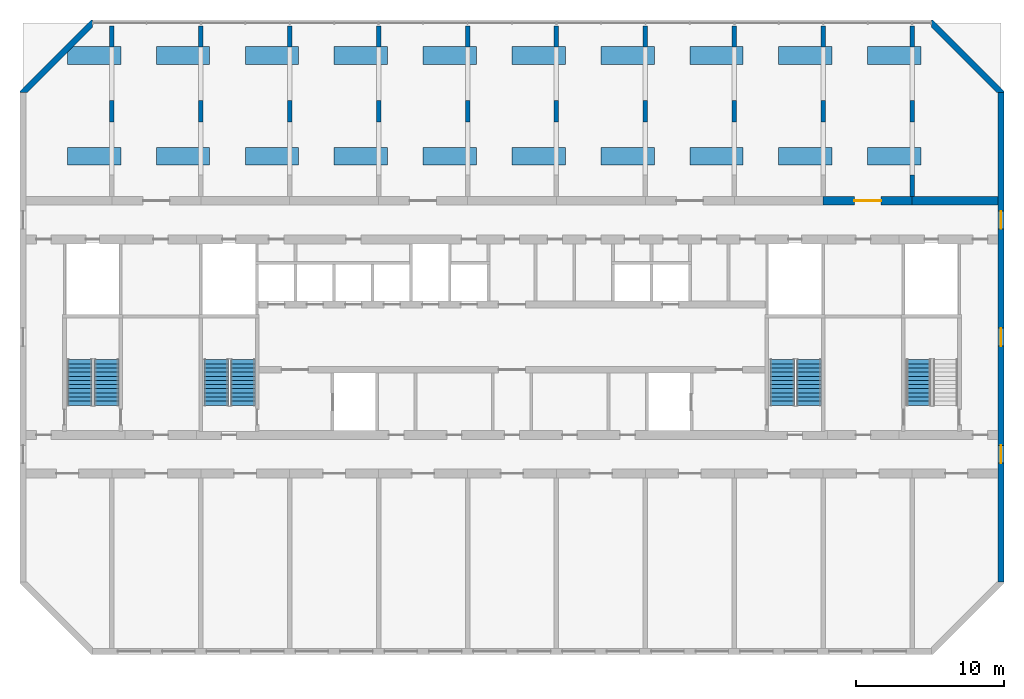
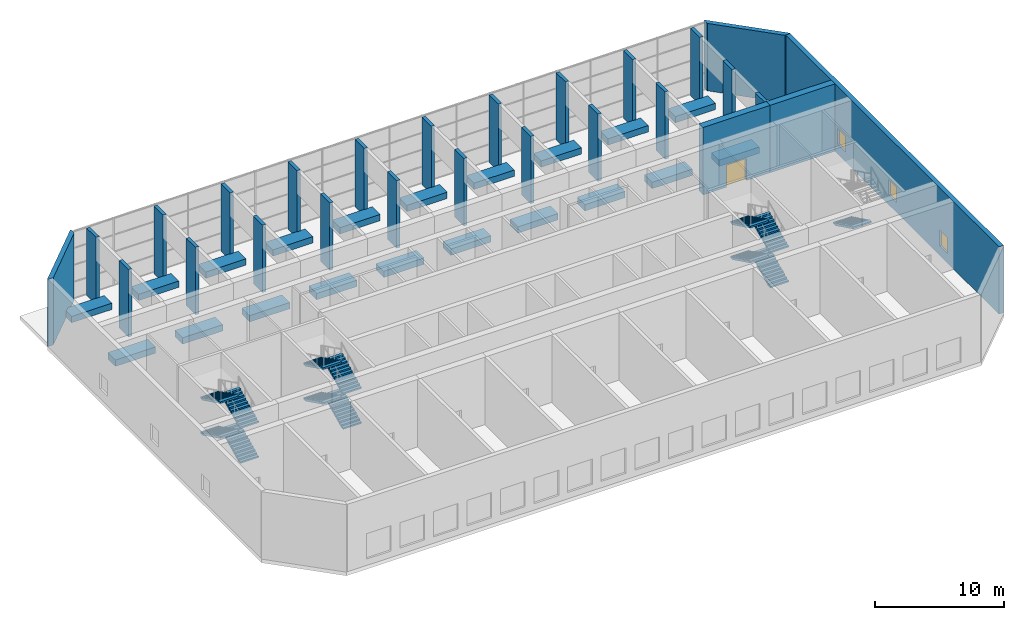
# One storey, part 10 of 13: 46 walls, 13 stair flights, 3 windows, 1 door, 4 openings, 4 elements without a shape of their own.
"""IFC4 building model written with IfcOpenShell, lengths in metres."""

from ifc_helpers import new_model, si_unit, direction, frame, frame_2d, origin, place, context, subcontext, project, spatial, polyline, rectangle, outline, extrude, source, transform, mapped, material, layer, layer_set, type_object, element, fill, aggregate, save


model = new_model("IFC4")

# Units and contexts
model_context = context("Model", 3, precision=1e-05, world=origin(), true_north=direction((0.0, 1.0)))
body_context = subcontext(model_context, "Body", "Model", "MODEL_VIEW")
ifc_project = project(units=[si_unit("LENGTHUNIT", "METRE"), si_unit("AREAUNIT", "SQUARE_METRE"), si_unit("VOLUMEUNIT", "CUBIC_METRE"), si_unit("PLANEANGLEUNIT", "RADIAN"), si_unit("MASSUNIT", "GRAM", prefix="KILO")], contexts=[model_context])

# Site, building, storey
site_placement = place(None, origin())
site = spatial("IfcSite", under=ifc_project, at=site_placement, CompositionType="ELEMENT")
building_placement = place(site_placement, origin())
building = spatial("IfcBuilding", under=site, at=building_placement, Name="Poui Terraces", CompositionType="ELEMENT")
storey_placement = place(building_placement, frame((0.0, 0.0, 165.300048828125)))
storey = spatial("IfcBuildingStorey", under=building, at=storey_placement, Name="L46", CompositionType="ELEMENT", Elevation=165.300048828125)

# Wall, opening, door
ifc_material_1 = material(Name="Concrete 65 MPa", Category="concrete")
ifc_layer_1 = layer(ifc_material_1, 0.60009765625)
ifc_layer_set_1 = layer_set([ifc_layer_1], Name="Concrete 65 MPa")
wall_type_1 = type_object("IfcWallType", Name="BELT WALL 600 65MPa", PredefinedType="SHEAR", material=ifc_layer_set_1)
wall_1_placement = place(storey_placement, frame((72.0, 30.39990234375, 0.0), z_axis=(0.0, 0.0, 1.0), x_axis=(1.0, 0.0, 0.0)))
wall_1 = element("IfcWall", 1, at=wall_1_placement, inside=storey, type_object=wall_type_1, Name="BELT WALL LINE E BAY 10", PredefinedType="SHEAR", context=body_context, shape_type="SweptSolid", body=[
    extrude(rectangle(XDim=6.0, YDim=0.60009765625, at=frame_2d((3.0, 0.0))), origin(), (0.0, 0.0, 1.0), 6.3798828125),
])
opening_1_placement = place(wall_1_placement, frame((2.10009765625, 0.0, 0.0)))
opening_1 = element("IfcOpeningElement", 2, at=opening_1_placement, cuts=wall_1, Name="Opening DD180", PredefinedType="OPENING", context=body_context, shape_type="SweptSolid", body=[
    extrude(rectangle(XDim=1.800048828125, YDim=2.10009765625, at=frame_2d((0.89990234375, 1.050048828125))), frame((0.0, 0.31005859375, 0.0), z_axis=(0.0, -1.0, 0.0), x_axis=(1.0, 0.0, 0.0)), (0.0, 0.0, 1.0), 0.6201171875),
])
ifc_material_2 = material(Name="Steel fire door", Category="steel")
door_type = type_object("IfcDoorType", Name="DOUBLE INTERNAL DOOR 1800 X 2100", OperationType="DOUBLE_DOOR_SINGLE_SWING", PredefinedType="DOOR", material=ifc_material_2)
door_placement = place(opening_1_placement, frame((1.800048828125, 0.0, 0.0), z_axis=(0.0, 0.0, 1.0), x_axis=(-1.0, 0.0, 0.0)))
door = element("IfcDoor", 3, at=door_placement, inside=storey, type_object=door_type, Name="DOUBLE INTERNAL DOOR 020", OperationType="DOUBLE_DOOR_SINGLE_SWING", OverallHeight=2.10009765625, OverallWidth=1.800048828125, PredefinedType="DOOR", context=body_context, shape_type="SweptSolid", body=[
    extrude(rectangle(XDim=1.800048828125, YDim=2.10009765625, at=frame_2d((0.89990234375, 1.050048828125))), frame((0.0, 0.02490234375, 0.0), z_axis=(0.0, -1.0, 0.0), x_axis=(1.0, 0.0, 0.0)), (0.0, 0.0, 1.0), 0.050048828125),
])
fill(opening_1, door)

# Wall
wall_2_placement = place(storey_placement, frame((78.0, 30.39990234375, 0.0), z_axis=(0.0, 0.0, 1.0), x_axis=(1.0, 0.0, 0.0)))
element("IfcWall", 4, at=wall_2_placement, inside=storey, type_object=wall_type_1, Name="BELT WALL LINE E BAY 11", PredefinedType="SHEAR", context=body_context, shape_type="SweptSolid", body=[
    extrude(rectangle(XDim=5.800048828125, YDim=0.60009765625, at=frame_2d((2.89990234375, 0.0))), origin(), (0.0, 0.0, 1.0), 6.3798828125),
])

# Wall, openings, windows
ifc_layer_2 = layer(ifc_material_1, 0.39990234375)
ifc_layer_set_2 = layer_set([ifc_layer_2], Name="Concrete 65 MPa")
wall_type_2 = type_object("IfcWallType", Name="END WALL 400 65MPa", PredefinedType="SHEAR", material=ifc_layer_set_2)
wall_3_placement = place(storey_placement, frame((84.0, 4.682861328125, 0.0), z_axis=(0.0, 0.0, 1.0), x_axis=(0.0, 1.0, 0.0)))
wall_3 = element("IfcWall", 5, at=wall_3_placement, inside=storey, type_object=wall_type_2, Name="END WALL EAST", PredefinedType="SHEAR", context=body_context, shape_type="SweptSolid", body=[
    extrude(rectangle(XDim=33.034423828125, YDim=0.39990234375, at=frame_2d((16.51708984375, 0.0))), origin(), (0.0, 0.0, 1.0), 6.3798828125),
])
opening_2_placement = place(wall_3_placement, frame((23.817138671875, 0.0, 0.89990234375)))
opening_2 = element("IfcOpeningElement", 6, at=opening_2_placement, cuts=wall_3, Name="Opening W2", PredefinedType="OPENING", context=body_context, shape_type="SweptSolid", body=[
    extrude(rectangle(XDim=1.199951171875, YDim=1.5, at=frame_2d((0.60009765625, 0.75))), frame((0.0, 0.2099609375, 0.0), z_axis=(0.0, -1.0, 0.0), x_axis=(1.0, 0.0, 0.0)), (0.0, 0.0, 1.0), 0.419921875),
])
opening_3_placement = place(wall_3_placement, frame((8.01708984375, 0.0, 0.89990234375)))
opening_3 = element("IfcOpeningElement", 7, at=opening_3_placement, cuts=wall_3, Name="Opening W2", PredefinedType="OPENING", context=body_context, shape_type="SweptSolid", body=[
    extrude(rectangle(XDim=1.199951171875, YDim=1.5, at=frame_2d((0.60009765625, 0.75))), frame((0.0, 0.2099609375, 0.0), z_axis=(0.0, -1.0, 0.0), x_axis=(1.0, 0.0, 0.0)), (0.0, 0.0, 1.0), 0.419921875),
])
opening_4_placement = place(wall_3_placement, frame((15.917236328125, 0.0, 0.89990234375)))
opening_4 = element("IfcOpeningElement", 8, at=opening_4_placement, cuts=wall_3, Name="Opening W2", PredefinedType="OPENING", context=body_context, shape_type="SweptSolid", body=[
    extrude(rectangle(XDim=1.199951171875, YDim=1.5, at=frame_2d((0.60009765625, 0.75))), frame((0.0, 0.2099609375, 0.0), z_axis=(0.0, -1.0, 0.0), x_axis=(1.0, 0.0, 0.0)), (0.0, 0.0, 1.0), 0.419921875),
])
ifc_material_3 = material(Name="Clear glass in aluminium frame", Category="aluminium")
window_type = type_object("IfcWindowType", Name="WINDOW 1200X1500", PartitioningType="SINGLE_PANEL", PredefinedType="WINDOW", material=ifc_material_3)
window_1_placement = place(opening_2_placement, origin())
window_1 = element("IfcWindow", 9, at=window_1_placement, inside=storey, type_object=window_type, Name="W2 WINDOW", OverallHeight=1.5, OverallWidth=1.199951171875, PartitioningType="SINGLE_PANEL", PredefinedType="WINDOW", context=body_context, shape_type="SweptSolid", body=[
    extrude(rectangle(XDim=1.199951171875, YDim=1.5, at=frame_2d((0.60009765625, 0.75))), frame((0.0, 0.030029296875, 0.0), z_axis=(0.0, -1.0, 0.0), x_axis=(1.0, 0.0, 0.0)), (0.0, 0.0, 1.0), 0.06005859375),
])
fill(opening_2, window_1)
window_2_placement = place(opening_3_placement, origin())
window_2 = element("IfcWindow", 10, at=window_2_placement, inside=storey, type_object=window_type, Name="W2 WINDOW", OverallHeight=1.5, OverallWidth=1.199951171875, PartitioningType="SINGLE_PANEL", PredefinedType="WINDOW", context=body_context, shape_type="SweptSolid", body=[
    extrude(rectangle(XDim=1.199951171875, YDim=1.5, at=frame_2d((0.60009765625, 0.75))), frame((0.0, 0.030029296875, 0.0), z_axis=(0.0, -1.0, 0.0), x_axis=(1.0, 0.0, 0.0)), (0.0, 0.0, 1.0), 0.06005859375),
])
fill(opening_3, window_2)
window_3_placement = place(opening_4_placement, origin())
window_3 = element("IfcWindow", 11, at=window_3_placement, inside=storey, type_object=window_type, Name="W2 WINDOW", OverallHeight=1.5, OverallWidth=1.199951171875, PartitioningType="SINGLE_PANEL", PredefinedType="WINDOW", context=body_context, shape_type="SweptSolid", body=[
    extrude(rectangle(XDim=1.199951171875, YDim=1.5, at=frame_2d((0.60009765625, 0.75))), frame((0.0, 0.030029296875, 0.0), z_axis=(0.0, -1.0, 0.0), x_axis=(1.0, 0.0, 0.0)), (0.0, 0.0, 1.0), 0.06005859375),
])
fill(opening_4, window_3)

# Walls
ifc_layer_3 = layer(ifc_material_1, 0.300048828125)
ifc_layer_set_3 = layer_set([ifc_layer_3], Name="Concrete 65 MPa")
wall_type_3 = type_object("IfcWallType", Name="PIERCED CROSS WALL 300 65MPa", PredefinedType="SHEAR", material=ifc_layer_set_3)
for number, where, z_axis, x_axis, name in (
    (12, (24.0, 35.7333984375, 0.0), (0.0, 0.0, 1.0), (0.0, 1.0, 0.0), "PIER LINE 5 2"),
    (13, (24.0, 40.7666015625, 0.0), (0.0, 0.0, 1.0), (0.0, 1.0, 0.0), "PIER LINE 5 3"),
    (14, (30.0, 35.7333984375, 0.0), (0.0, 0.0, 1.0), (0.0, 1.0, 0.0), "PIER LINE 6 2"),
    (15, (30.0, 40.7666015625, 0.0), (0.0, 0.0, 1.0), (0.0, 1.0, 0.0), "PIER LINE 6 3"),
    (16, (36.0, 35.7333984375, 0.0), (0.0, 0.0, 1.0), (0.0, 1.0, 0.0), "PIER LINE 7 2"),
    (17, (36.0, 40.7666015625, 0.0), (0.0, 0.0, 1.0), (0.0, 1.0, 0.0), "PIER LINE 7 3"),
    (18, (42.0, 35.7333984375, 0.0), (0.0, 0.0, 1.0), (0.0, 1.0, 0.0), "PIER LINE 8 2"),
    (19, (42.0, 40.7666015625, 0.0), (0.0, 0.0, 1.0), (0.0, 1.0, 0.0), "PIER LINE 8 3"),
    (20, (48.0, 35.7333984375, 0.0), (0.0, 0.0, 1.0), (0.0, 1.0, 0.0), "PIER LINE 9 2"),
    (21, (48.0, 40.7666015625, 0.0), (0.0, 0.0, 1.0), (0.0, 1.0, 0.0), "PIER LINE 9 3"),
    (22, (54.0, 35.7333984375, 0.0), (0.0, 0.0, 1.0), (0.0, 1.0, 0.0), "PIER LINE 10 2"),
    (23, (54.0, 40.7666015625, 0.0), (0.0, 0.0, 1.0), (0.0, 1.0, 0.0), "PIER LINE 10 3"),
    (24, (60.0, 35.7333984375, 0.0), (0.0, 0.0, 1.0), (0.0, 1.0, 0.0), "PIER LINE 11 2"),
    (25, (60.0, 40.7666015625, 0.0), (0.0, 0.0, 1.0), (0.0, 1.0, 0.0), "PIER LINE 11 3"),
    (26, (66.0, 35.7333984375, 0.0), (0.0, 0.0, 1.0), (0.0, 1.0, 0.0), "PIER LINE 12 2"),
    (27, (66.0, 40.7666015625, 0.0), (0.0, 0.0, 1.0), (0.0, 1.0, 0.0), "PIER LINE 12 3"),
    (28, (72.0, 35.7333984375, 0.0), (0.0, 0.0, 1.0), (0.0, 1.0, 0.0), "PIER LINE 13 2"),
    (29, (72.0, 40.7666015625, 0.0), (0.0, 0.0, 1.0), (0.0, 1.0, 0.0), "PIER LINE 13 3"),
    (30, (78.0, 30.699951171875, 0.0), (0.0, 0.0, 1.0), (0.0, 1.0, 0.0), "PIER LINE 14 1"),
    (31, (78.0, 35.7333984375, 0.0), (0.0, 0.0, 1.0), (0.0, 1.0, 0.0), "PIER LINE 14 2"),
    (32, (78.0, 40.7666015625, 0.0), (0.0, 0.0, 1.0), (0.0, 1.0, 0.0), "PIER LINE 14 3"),
):
    element("IfcWall", number, at=place(storey_placement, frame(where, z_axis=z_axis, x_axis=x_axis)), inside=storey, type_object=wall_type_3, Name=name, PredefinedType="SHEAR", context=body_context, shape_type="SweptSolid", body=[
        extrude(rectangle(XDim=1.433349609375, YDim=0.300048828125, at=frame_2d((0.716796875, 0.0))), origin(), (0.0, 0.0, 1.0), 6.3798828125),
    ])
ifc_material_4 = material(Name="Precast concrete 40 MPa", Category="concrete")
ifc_layer_4 = layer(ifc_material_4, 0.39990234375)
ifc_layer_set_4 = layer_set([ifc_layer_4], Name="Precast concrete 40 MPa")
wall_type_4 = type_object("IfcWallType", Name="TERRACOTTA CLAD CHAMFER WALL 400", PredefinedType="STANDARD", material=ifc_layer_set_4)
wall_4_placement = place(storey_placement, origin())
element("IfcWall", 33, at=wall_4_placement, inside=storey, type_object=wall_type_4, Name="CHAMFER WALL CH03", PredefinedType="STANDARD", context=body_context, shape_type="SweptSolid", body=[
    extrude(outline(polyline([(84.199951171875, 37.71728515625), (84.199951171875, 37.800048828125), (79.39990234375, 42.60009765625), (79.317138671875, 42.60009765625), (79.317138671875, 42.1171875), (83.71728515625, 37.71728515625), (84.199951171875, 37.71728515625)])), origin(), (0.0, 0.0, 1.0), 6.3798828125),
])
wall_5_placement = place(storey_placement, origin())
element("IfcWall", 34, at=wall_5_placement, inside=storey, type_object=wall_type_4, Name="CHAMFER WALL CH05", PredefinedType="STANDARD", context=body_context, shape_type="SweptSolid", body=[
    extrude(outline(polyline([(22.682861328125, 42.60009765625), (22.60009765625, 42.60009765625), (17.800048828125, 37.800048828125), (17.800048828125, 37.71728515625), (18.28271484375, 37.71728515625), (22.682861328125, 42.1171875), (22.682861328125, 42.60009765625)])), origin(), (0.0, 0.0, 1.0), 6.3798828125),
])
ifc_layer_5 = layer(ifc_material_4, 1.199951171875)
ifc_layer_set_5 = layer_set([ifc_layer_5], Name="Precast concrete 40 MPa")
wall_type_5 = type_object("IfcWallType", Name="PLANTER 600", PredefinedType="USERDEFINED", material=ifc_layer_set_5)
shared_shape = source(origin(), body_context, "Body", "SweptSolid", [
    extrude(outline(polyline([(0.0, 0.0), (3.60009765625, 0.0), (3.60009765625, 1.199951171875), (0.0, 1.199951171875), (0.0, 0.0)])), origin(), (0.0, 0.0, 1.0), 0.599853515625),
])
for number, where, name in (
    (35, (21.0, 32.800048828125, 0.0), "PLANTER"),
    (36, (27.0, 32.800048828125, 0.0), "PLANTER"),
    (37, (33.0, 32.800048828125, 0.0), "PLANTER"),
    (38, (39.0, 32.800048828125, 0.0), "PLANTER"),
    (39, (45.0, 32.800048828125, 0.0), "PLANTER"),
    (40, (51.0, 32.800048828125, 0.0), "PLANTER"),
    (41, (57.0, 32.800048828125, 0.0), "PLANTER"),
    (42, (63.0, 32.800048828125, 0.0), "PLANTER"),
    (43, (69.0, 32.800048828125, 0.0), "PLANTER"),
    (44, (75.0, 32.800048828125, 0.0), "PLANTER"),
    (45, (21.0, 39.60009765625, 0.0), "PLANTER"),
    (46, (27.0, 39.60009765625, 0.0), "PLANTER"),
    (47, (33.0, 39.60009765625, 0.0), "PLANTER"),
    (48, (39.0, 39.60009765625, 0.0), "PLANTER"),
    (49, (45.0, 39.60009765625, 0.0), "PLANTER"),
    (50, (51.0, 39.60009765625, 0.0), "PLANTER"),
    (51, (57.0, 39.60009765625, 0.0), "PLANTER"),
    (52, (63.0, 39.60009765625, 0.0), "PLANTER"),
    (53, (69.0, 39.60009765625, 0.0), "PLANTER"),
    (54, (75.0, 39.60009765625, 0.0), "PLANTER"),
):
    element("IfcWall", number, at=place(storey_placement, frame(where)), inside=storey, type_object=wall_type_5, Name=name, ObjectType="PLANTER", PredefinedType="USERDEFINED", context=body_context, shape_type="MappedRepresentation", body=[
        mapped(shared_shape, transform((0.0, 0.0, 0.0))),
    ])

# Stair, stair flights
stair_type = type_object("IfcStairType", Name="EXIT STAIR 1650 65 MPA", PredefinedType="HALF_TURN_STAIR", material=ifc_material_1)
stair_1_placement = place(storey_placement, origin())
stair_1 = element("IfcStair", 55, at=stair_1_placement, inside=storey, type_object=stair_type, Name="L46 CORE STAIR EAST", PredefinedType="HALF_TURN_STAIR")
ifc_layer_6 = layer(ifc_material_1, 0.14990234375)
ifc_layer_set_6 = layer_set([ifc_layer_6], Name="Concrete 65 MPa")
stair_flight_type = type_object("IfcStairFlightType", Name="STAIR FLIGHT 12 RISERS 138 RISE 65 MPA", PredefinedType="STRAIGHT", material=ifc_layer_set_6)
stair_flight_1_placement = place(storey_placement, frame((71.050048828125, 16.60009765625, 0.0), z_axis=(0.0, 0.0, 1.0), x_axis=(0.0, 1.0, 0.0)))
stair_flight_1 = element("IfcStairFlight", 56, at=stair_flight_1_placement, type_object=stair_flight_type, Name="ST-CE flight 1", NumberOfRisers=12, NumberOfTreads=11, PredefinedType="STRAIGHT", RiserHeight=0.1375, TreadLength=0.28, context=body_context, shape_type="SweptSolid", body=[
    extrude(outline(polyline([(0.0, 0.0), (0.0, 0.137451171875), (0.280029296875, 0.137451171875), (0.280029296875, 0.27490234375), (0.56005859375, 0.27490234375), (0.56005859375, 0.41259765625), (0.840087890625, 0.41259765625), (0.840087890625, 0.550048828125), (1.1201171875, 0.550048828125), (1.1201171875, 0.6875), (1.39990234375, 0.6875), (1.39990234375, 0.824951171875), (1.679931640625, 0.824951171875), (1.679931640625, 0.96240234375), (1.9599609375, 0.96240234375), (1.9599609375, 1.10009765625), (2.239990234375, 1.10009765625), (2.239990234375, 1.237548828125), (2.52001953125, 1.237548828125), (2.52001953125, 1.375), (2.800048828125, 1.375), (2.800048828125, 1.512451171875), (3.080078125, 1.512451171875), (3.080078125, 1.64990234375), (3.080078125, 1.345458984375), (0.340087890625, 0.0), (0.0, 0.0)])), frame((0.0, 0.824951171875, 0.0), z_axis=(0.0, -1.0, 0.0), x_axis=(1.0, 0.0, 0.0)), (0.0, 0.0, 1.0), 1.64990234375),
])
stair_flight_2_placement = place(storey_placement, frame((69.25, 19.679931640625, 1.64990234375), z_axis=(0.0, 0.0, 1.0), x_axis=(0.0, -1.0, 0.0)))
stair_flight_2 = element("IfcStairFlight", 57, at=stair_flight_2_placement, type_object=stair_flight_type, Name="ST-CE flight 2", NumberOfRisers=12, NumberOfTreads=11, PredefinedType="STRAIGHT", RiserHeight=0.1375, TreadLength=0.28, context=body_context, shape_type="SweptSolid", body=[
    extrude(outline(polyline([(0.0, 0.0), (0.0, 0.137451171875), (0.280029296875, 0.137451171875), (0.280029296875, 0.27490234375), (0.56005859375, 0.27490234375), (0.56005859375, 0.41259765625), (0.840087890625, 0.41259765625), (0.840087890625, 0.550048828125), (1.1201171875, 0.550048828125), (1.1201171875, 0.6875), (1.39990234375, 0.6875), (1.39990234375, 0.824951171875), (1.679931640625, 0.824951171875), (1.679931640625, 0.96240234375), (1.9599609375, 0.96240234375), (1.9599609375, 1.10009765625), (2.239990234375, 1.10009765625), (2.239990234375, 1.237548828125), (2.52001953125, 1.237548828125), (2.52001953125, 1.375), (2.800048828125, 1.375), (2.800048828125, 1.512451171875), (3.080078125, 1.512451171875), (3.080078125, 1.64990234375), (3.080078125, 1.345458984375), (0.340087890625, 0.0), (0.0, 0.0)])), frame((0.0, 0.824951171875, 0.0), z_axis=(0.0, -1.0, 0.0), x_axis=(1.0, 0.0, 0.0)), (0.0, 0.0, 1.0), 1.64990234375),
])
stair_flight_3_placement = place(storey_placement, frame((71.050048828125, 16.60009765625, 3.300048828125), z_axis=(0.0, 0.0, 1.0), x_axis=(0.0, 1.0, 0.0)))
stair_flight_3 = element("IfcStairFlight", 58, at=stair_flight_3_placement, type_object=stair_flight_type, Name="ST-CE flight 3", NumberOfRisers=12, NumberOfTreads=11, PredefinedType="STRAIGHT", RiserHeight=0.1375, TreadLength=0.28, context=body_context, shape_type="SweptSolid", body=[
    extrude(outline(polyline([(0.0, 0.0), (0.0, 0.137451171875), (0.280029296875, 0.137451171875), (0.280029296875, 0.27490234375), (0.56005859375, 0.27490234375), (0.56005859375, 0.41259765625), (0.840087890625, 0.41259765625), (0.840087890625, 0.550048828125), (1.1201171875, 0.550048828125), (1.1201171875, 0.6875), (1.39990234375, 0.6875), (1.39990234375, 0.824951171875), (1.679931640625, 0.824951171875), (1.679931640625, 0.96240234375), (1.9599609375, 0.96240234375), (1.9599609375, 1.10009765625), (2.239990234375, 1.10009765625), (2.239990234375, 1.237548828125), (2.52001953125, 1.237548828125), (2.52001953125, 1.375), (2.800048828125, 1.375), (2.800048828125, 1.512451171875), (3.080078125, 1.512451171875), (3.080078125, 1.64990234375), (3.080078125, 1.345458984375), (0.340087890625, 0.0), (0.0, 0.0)])), frame((0.0, 0.824951171875, 0.0), z_axis=(0.0, -1.0, 0.0), x_axis=(1.0, 0.0, 0.0)), (0.0, 0.0, 1.0), 1.64990234375),
])
stair_flight_4_placement = place(storey_placement, frame((69.25, 19.679931640625, 4.949951171875), z_axis=(0.0, 0.0, 1.0), x_axis=(0.0, -1.0, 0.0)))
stair_flight_4 = element("IfcStairFlight", 59, at=stair_flight_4_placement, type_object=stair_flight_type, Name="ST-CE flight 4", NumberOfRisers=12, NumberOfTreads=11, PredefinedType="STRAIGHT", RiserHeight=0.1375, TreadLength=0.28, context=body_context, shape_type="SweptSolid", body=[
    extrude(outline(polyline([(0.0, 0.0), (0.0, 0.137451171875), (0.280029296875, 0.137451171875), (0.280029296875, 0.27490234375), (0.56005859375, 0.27490234375), (0.56005859375, 0.41259765625), (0.840087890625, 0.41259765625), (0.840087890625, 0.550048828125), (1.1201171875, 0.550048828125), (1.1201171875, 0.6875), (1.39990234375, 0.6875), (1.39990234375, 0.824951171875), (1.679931640625, 0.824951171875), (1.679931640625, 0.96240234375), (1.9599609375, 0.96240234375), (1.9599609375, 1.10009765625), (2.239990234375, 1.10009765625), (2.239990234375, 1.237548828125), (2.52001953125, 1.237548828125), (2.52001953125, 1.375), (2.800048828125, 1.375), (2.800048828125, 1.512451171875), (3.080078125, 1.512451171875), (3.080078125, 1.64990234375), (3.080078125, 1.345458984375), (0.340087890625, 0.0), (0.0, 0.0)])), frame((0.0, 0.824951171875, 0.0), z_axis=(0.0, -1.0, 0.0), x_axis=(1.0, 0.0, 0.0)), (0.0, 0.0, 1.0), 1.64990234375),
])
aggregate(stair_1, [stair_flight_1, stair_flight_2, stair_flight_3, stair_flight_4])

stair_2_placement = place(storey_placement, origin())
stair_2 = element("IfcStair", 60, at=stair_2_placement, inside=storey, type_object=stair_type, Name="L46 CORE STAIR WEST", PredefinedType="HALF_TURN_STAIR")
stair_flight_5_placement = place(storey_placement, frame((32.85009765625, 16.60009765625, 0.0), z_axis=(0.0, 0.0, 1.0), x_axis=(0.0, 1.0, 0.0)))
stair_flight_5 = element("IfcStairFlight", 61, at=stair_flight_5_placement, type_object=stair_flight_type, Name="ST-CW flight 1", NumberOfRisers=12, NumberOfTreads=11, PredefinedType="STRAIGHT", RiserHeight=0.1375, TreadLength=0.28, context=body_context, shape_type="SweptSolid", body=[
    extrude(outline(polyline([(0.0, 0.0), (0.0, 0.137451171875), (0.280029296875, 0.137451171875), (0.280029296875, 0.27490234375), (0.56005859375, 0.27490234375), (0.56005859375, 0.41259765625), (0.840087890625, 0.41259765625), (0.840087890625, 0.550048828125), (1.1201171875, 0.550048828125), (1.1201171875, 0.6875), (1.39990234375, 0.6875), (1.39990234375, 0.824951171875), (1.679931640625, 0.824951171875), (1.679931640625, 0.96240234375), (1.9599609375, 0.96240234375), (1.9599609375, 1.10009765625), (2.239990234375, 1.10009765625), (2.239990234375, 1.237548828125), (2.52001953125, 1.237548828125), (2.52001953125, 1.375), (2.800048828125, 1.375), (2.800048828125, 1.512451171875), (3.080078125, 1.512451171875), (3.080078125, 1.64990234375), (3.080078125, 1.345458984375), (0.340087890625, 0.0), (0.0, 0.0)])), frame((0.0, 0.824951171875, 0.0), z_axis=(0.0, -1.0, 0.0), x_axis=(1.0, 0.0, 0.0)), (0.0, 0.0, 1.0), 1.64990234375),
])
stair_flight_6_placement = place(storey_placement, frame((31.050048828125, 19.679931640625, 1.64990234375), z_axis=(0.0, 0.0, 1.0), x_axis=(0.0, -1.0, 0.0)))
stair_flight_6 = element("IfcStairFlight", 62, at=stair_flight_6_placement, type_object=stair_flight_type, Name="ST-CW flight 2", NumberOfRisers=12, NumberOfTreads=11, PredefinedType="STRAIGHT", RiserHeight=0.1375, TreadLength=0.28, context=body_context, shape_type="SweptSolid", body=[
    extrude(outline(polyline([(0.0, 0.0), (0.0, 0.137451171875), (0.280029296875, 0.137451171875), (0.280029296875, 0.27490234375), (0.56005859375, 0.27490234375), (0.56005859375, 0.41259765625), (0.840087890625, 0.41259765625), (0.840087890625, 0.550048828125), (1.1201171875, 0.550048828125), (1.1201171875, 0.6875), (1.39990234375, 0.6875), (1.39990234375, 0.824951171875), (1.679931640625, 0.824951171875), (1.679931640625, 0.96240234375), (1.9599609375, 0.96240234375), (1.9599609375, 1.10009765625), (2.239990234375, 1.10009765625), (2.239990234375, 1.237548828125), (2.52001953125, 1.237548828125), (2.52001953125, 1.375), (2.800048828125, 1.375), (2.800048828125, 1.512451171875), (3.080078125, 1.512451171875), (3.080078125, 1.64990234375), (3.080078125, 1.345458984375), (0.340087890625, 0.0), (0.0, 0.0)])), frame((0.0, 0.824951171875, 0.0), z_axis=(0.0, -1.0, 0.0), x_axis=(1.0, 0.0, 0.0)), (0.0, 0.0, 1.0), 1.64990234375),
])
stair_flight_7_placement = place(storey_placement, frame((32.85009765625, 16.60009765625, 3.300048828125), z_axis=(0.0, 0.0, 1.0), x_axis=(0.0, 1.0, 0.0)))
stair_flight_7 = element("IfcStairFlight", 63, at=stair_flight_7_placement, type_object=stair_flight_type, Name="ST-CW flight 3", NumberOfRisers=12, NumberOfTreads=11, PredefinedType="STRAIGHT", RiserHeight=0.1375, TreadLength=0.28, context=body_context, shape_type="SweptSolid", body=[
    extrude(outline(polyline([(0.0, 0.0), (0.0, 0.137451171875), (0.280029296875, 0.137451171875), (0.280029296875, 0.27490234375), (0.56005859375, 0.27490234375), (0.56005859375, 0.41259765625), (0.840087890625, 0.41259765625), (0.840087890625, 0.550048828125), (1.1201171875, 0.550048828125), (1.1201171875, 0.6875), (1.39990234375, 0.6875), (1.39990234375, 0.824951171875), (1.679931640625, 0.824951171875), (1.679931640625, 0.96240234375), (1.9599609375, 0.96240234375), (1.9599609375, 1.10009765625), (2.239990234375, 1.10009765625), (2.239990234375, 1.237548828125), (2.52001953125, 1.237548828125), (2.52001953125, 1.375), (2.800048828125, 1.375), (2.800048828125, 1.512451171875), (3.080078125, 1.512451171875), (3.080078125, 1.64990234375), (3.080078125, 1.345458984375), (0.340087890625, 0.0), (0.0, 0.0)])), frame((0.0, 0.824951171875, 0.0), z_axis=(0.0, -1.0, 0.0), x_axis=(1.0, 0.0, 0.0)), (0.0, 0.0, 1.0), 1.64990234375),
])
stair_flight_8_placement = place(storey_placement, frame((31.050048828125, 19.679931640625, 4.949951171875), z_axis=(0.0, 0.0, 1.0), x_axis=(0.0, -1.0, 0.0)))
stair_flight_8 = element("IfcStairFlight", 64, at=stair_flight_8_placement, type_object=stair_flight_type, Name="ST-CW flight 4", NumberOfRisers=12, NumberOfTreads=11, PredefinedType="STRAIGHT", RiserHeight=0.1375, TreadLength=0.28, context=body_context, shape_type="SweptSolid", body=[
    extrude(outline(polyline([(0.0, 0.0), (0.0, 0.137451171875), (0.280029296875, 0.137451171875), (0.280029296875, 0.27490234375), (0.56005859375, 0.27490234375), (0.56005859375, 0.41259765625), (0.840087890625, 0.41259765625), (0.840087890625, 0.550048828125), (1.1201171875, 0.550048828125), (1.1201171875, 0.6875), (1.39990234375, 0.6875), (1.39990234375, 0.824951171875), (1.679931640625, 0.824951171875), (1.679931640625, 0.96240234375), (1.9599609375, 0.96240234375), (1.9599609375, 1.10009765625), (2.239990234375, 1.10009765625), (2.239990234375, 1.237548828125), (2.52001953125, 1.237548828125), (2.52001953125, 1.375), (2.800048828125, 1.375), (2.800048828125, 1.512451171875), (3.080078125, 1.512451171875), (3.080078125, 1.64990234375), (3.080078125, 1.345458984375), (0.340087890625, 0.0), (0.0, 0.0)])), frame((0.0, 0.824951171875, 0.0), z_axis=(0.0, -1.0, 0.0), x_axis=(1.0, 0.0, 0.0)), (0.0, 0.0, 1.0), 1.64990234375),
])
aggregate(stair_2, [stair_flight_5, stair_flight_6, stair_flight_7, stair_flight_8])

# Stair, stair flight
stair_3_placement = place(storey_placement, origin())
stair_3 = element("IfcStair", 65, at=stair_3_placement, inside=storey, type_object=stair_type, Name="L46 TIP STAIR EAST", PredefinedType="HALF_TURN_STAIR")
stair_flight_9_placement = place(storey_placement, frame((78.449951171875, 19.679931640625, 1.64990234375), z_axis=(0.0, 0.0, 1.0), x_axis=(0.0, -1.0, 0.0)))
stair_flight_9 = element("IfcStairFlight", 66, at=stair_flight_9_placement, type_object=stair_flight_type, Name="ST-E flight 2", NumberOfRisers=12, NumberOfTreads=11, PredefinedType="STRAIGHT", RiserHeight=0.1375, TreadLength=0.28, context=body_context, shape_type="SweptSolid", body=[
    extrude(outline(polyline([(0.0, 0.0), (0.0, 0.137451171875), (0.280029296875, 0.137451171875), (0.280029296875, 0.27490234375), (0.56005859375, 0.27490234375), (0.56005859375, 0.41259765625), (0.840087890625, 0.41259765625), (0.840087890625, 0.550048828125), (1.1201171875, 0.550048828125), (1.1201171875, 0.6875), (1.39990234375, 0.6875), (1.39990234375, 0.824951171875), (1.679931640625, 0.824951171875), (1.679931640625, 0.96240234375), (1.9599609375, 0.96240234375), (1.9599609375, 1.10009765625), (2.239990234375, 1.10009765625), (2.239990234375, 1.237548828125), (2.52001953125, 1.237548828125), (2.52001953125, 1.375), (2.800048828125, 1.375), (2.800048828125, 1.512451171875), (3.080078125, 1.512451171875), (3.080078125, 1.64990234375), (3.080078125, 1.345458984375), (0.340087890625, 0.0), (0.0, 0.0)])), frame((0.0, 0.824951171875, 0.0), z_axis=(0.0, -1.0, 0.0), x_axis=(1.0, 0.0, 0.0)), (0.0, 0.0, 1.0), 1.64990234375),
])
aggregate(stair_3, [stair_flight_9])

# Stair, stair flights
stair_4_placement = place(storey_placement, origin())
stair_4 = element("IfcStair", 67, at=stair_4_placement, inside=storey, type_object=stair_type, Name="L46 TIP STAIR WEST", PredefinedType="HALF_TURN_STAIR")
stair_flight_10_placement = place(storey_placement, frame((23.64990234375, 16.60009765625, 0.0), z_axis=(0.0, 0.0, 1.0), x_axis=(0.0, 1.0, 0.0)))
stair_flight_10 = element("IfcStairFlight", 68, at=stair_flight_10_placement, type_object=stair_flight_type, Name="ST-W flight 1", NumberOfRisers=12, NumberOfTreads=11, PredefinedType="STRAIGHT", RiserHeight=0.1375, TreadLength=0.28, context=body_context, shape_type="SweptSolid", body=[
    extrude(outline(polyline([(0.0, 0.0), (0.0, 0.137451171875), (0.280029296875, 0.137451171875), (0.280029296875, 0.27490234375), (0.56005859375, 0.27490234375), (0.56005859375, 0.41259765625), (0.840087890625, 0.41259765625), (0.840087890625, 0.550048828125), (1.1201171875, 0.550048828125), (1.1201171875, 0.6875), (1.39990234375, 0.6875), (1.39990234375, 0.824951171875), (1.679931640625, 0.824951171875), (1.679931640625, 0.96240234375), (1.9599609375, 0.96240234375), (1.9599609375, 1.10009765625), (2.239990234375, 1.10009765625), (2.239990234375, 1.237548828125), (2.52001953125, 1.237548828125), (2.52001953125, 1.375), (2.800048828125, 1.375), (2.800048828125, 1.512451171875), (3.080078125, 1.512451171875), (3.080078125, 1.64990234375), (3.080078125, 1.345458984375), (0.340087890625, 0.0), (0.0, 0.0)])), frame((0.0, 0.824951171875, 0.0), z_axis=(0.0, -1.0, 0.0), x_axis=(1.0, 0.0, 0.0)), (0.0, 0.0, 1.0), 1.64990234375),
])
stair_flight_11_placement = place(storey_placement, frame((21.85009765625, 19.679931640625, 1.64990234375), z_axis=(0.0, 0.0, 1.0), x_axis=(0.0, -1.0, 0.0)))
stair_flight_11 = element("IfcStairFlight", 69, at=stair_flight_11_placement, type_object=stair_flight_type, Name="ST-W flight 2", NumberOfRisers=12, NumberOfTreads=11, PredefinedType="STRAIGHT", RiserHeight=0.1375, TreadLength=0.28, context=body_context, shape_type="SweptSolid", body=[
    extrude(outline(polyline([(0.0, 0.0), (0.0, 0.137451171875), (0.280029296875, 0.137451171875), (0.280029296875, 0.27490234375), (0.56005859375, 0.27490234375), (0.56005859375, 0.41259765625), (0.840087890625, 0.41259765625), (0.840087890625, 0.550048828125), (1.1201171875, 0.550048828125), (1.1201171875, 0.6875), (1.39990234375, 0.6875), (1.39990234375, 0.824951171875), (1.679931640625, 0.824951171875), (1.679931640625, 0.96240234375), (1.9599609375, 0.96240234375), (1.9599609375, 1.10009765625), (2.239990234375, 1.10009765625), (2.239990234375, 1.237548828125), (2.52001953125, 1.237548828125), (2.52001953125, 1.375), (2.800048828125, 1.375), (2.800048828125, 1.512451171875), (3.080078125, 1.512451171875), (3.080078125, 1.64990234375), (3.080078125, 1.345458984375), (0.340087890625, 0.0), (0.0, 0.0)])), frame((0.0, 0.824951171875, 0.0), z_axis=(0.0, -1.0, 0.0), x_axis=(1.0, 0.0, 0.0)), (0.0, 0.0, 1.0), 1.64990234375),
])
stair_flight_12_placement = place(storey_placement, frame((23.64990234375, 16.60009765625, 3.300048828125), z_axis=(0.0, 0.0, 1.0), x_axis=(0.0, 1.0, 0.0)))
stair_flight_12 = element("IfcStairFlight", 70, at=stair_flight_12_placement, type_object=stair_flight_type, Name="ST-W flight 3", NumberOfRisers=12, NumberOfTreads=11, PredefinedType="STRAIGHT", RiserHeight=0.1375, TreadLength=0.28, context=body_context, shape_type="SweptSolid", body=[
    extrude(outline(polyline([(0.0, 0.0), (0.0, 0.137451171875), (0.280029296875, 0.137451171875), (0.280029296875, 0.27490234375), (0.56005859375, 0.27490234375), (0.56005859375, 0.41259765625), (0.840087890625, 0.41259765625), (0.840087890625, 0.550048828125), (1.1201171875, 0.550048828125), (1.1201171875, 0.6875), (1.39990234375, 0.6875), (1.39990234375, 0.824951171875), (1.679931640625, 0.824951171875), (1.679931640625, 0.96240234375), (1.9599609375, 0.96240234375), (1.9599609375, 1.10009765625), (2.239990234375, 1.10009765625), (2.239990234375, 1.237548828125), (2.52001953125, 1.237548828125), (2.52001953125, 1.375), (2.800048828125, 1.375), (2.800048828125, 1.512451171875), (3.080078125, 1.512451171875), (3.080078125, 1.64990234375), (3.080078125, 1.345458984375), (0.340087890625, 0.0), (0.0, 0.0)])), frame((0.0, 0.824951171875, 0.0), z_axis=(0.0, -1.0, 0.0), x_axis=(1.0, 0.0, 0.0)), (0.0, 0.0, 1.0), 1.64990234375),
])
stair_flight_13_placement = place(storey_placement, frame((21.85009765625, 19.679931640625, 4.949951171875), z_axis=(0.0, 0.0, 1.0), x_axis=(0.0, -1.0, 0.0)))
stair_flight_13 = element("IfcStairFlight", 71, at=stair_flight_13_placement, type_object=stair_flight_type, Name="ST-W flight 4", NumberOfRisers=12, NumberOfTreads=11, PredefinedType="STRAIGHT", RiserHeight=0.1375, TreadLength=0.28, context=body_context, shape_type="SweptSolid", body=[
    extrude(outline(polyline([(0.0, 0.0), (0.0, 0.137451171875), (0.280029296875, 0.137451171875), (0.280029296875, 0.27490234375), (0.56005859375, 0.27490234375), (0.56005859375, 0.41259765625), (0.840087890625, 0.41259765625), (0.840087890625, 0.550048828125), (1.1201171875, 0.550048828125), (1.1201171875, 0.6875), (1.39990234375, 0.6875), (1.39990234375, 0.824951171875), (1.679931640625, 0.824951171875), (1.679931640625, 0.96240234375), (1.9599609375, 0.96240234375), (1.9599609375, 1.10009765625), (2.239990234375, 1.10009765625), (2.239990234375, 1.237548828125), (2.52001953125, 1.237548828125), (2.52001953125, 1.375), (2.800048828125, 1.375), (2.800048828125, 1.512451171875), (3.080078125, 1.512451171875), (3.080078125, 1.64990234375), (3.080078125, 1.345458984375), (0.340087890625, 0.0), (0.0, 0.0)])), frame((0.0, 0.824951171875, 0.0), z_axis=(0.0, -1.0, 0.0), x_axis=(1.0, 0.0, 0.0)), (0.0, 0.0, 1.0), 1.64990234375),
])
aggregate(stair_4, [stair_flight_10, stair_flight_11, stair_flight_12, stair_flight_13])

save(model, "model.ifc")
